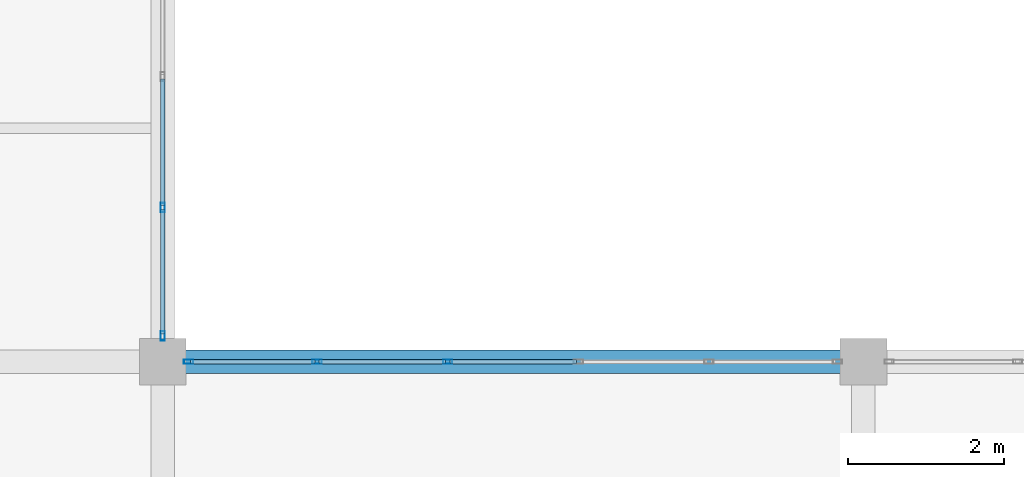
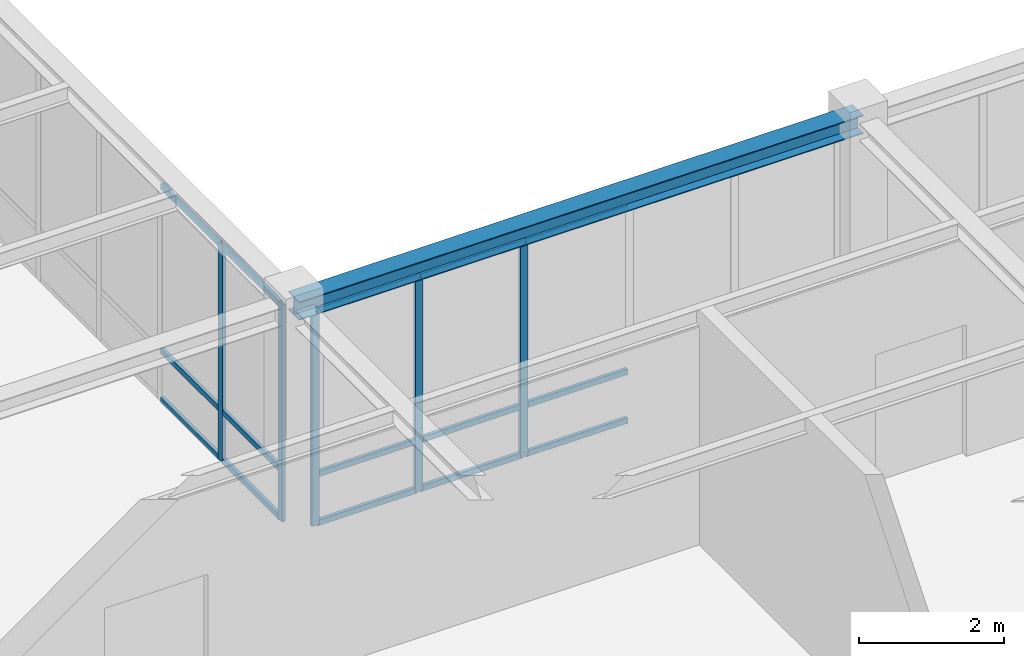
# One storey, part 45 of 130: 20 members, 1 beam, 2 elements without a shape of their own.
"""IFC4 building model written with IfcOpenShell, lengths in metres."""

from ifc_helpers import new_model, si_unit, direction, frame, origin, origin_2d, place, context, subcontext, project, spatial, hollow_rectangle, i_section, extrude, material, material_profile, profile_set, type_object, element, aggregate, save


model = new_model("IFC4")

# Units and contexts
model_context = context("Model", 3, precision=1e-05, world=origin(), true_north=direction((0.0, 1.0)))
body_context = subcontext(model_context, "Body", "Model", "MODEL_VIEW")
ifc_project = project(units=[si_unit("LENGTHUNIT", "METRE"), si_unit("AREAUNIT", "SQUARE_METRE"), si_unit("VOLUMEUNIT", "CUBIC_METRE"), si_unit("PLANEANGLEUNIT", "RADIAN"), si_unit("MASSUNIT", "GRAM", prefix="KILO")], contexts=[model_context])

# Site, building, storey
site_placement = place(None, origin())
site = spatial("IfcSite", under=ifc_project, at=site_placement, CompositionType="ELEMENT")
building_placement = place(site_placement, origin())
building = spatial("IfcBuilding", under=site, at=building_placement, Name="Lykobir Media Centre", CompositionType="ELEMENT")
storey_placement = place(building_placement, frame((0.0, 0.0, 19.199951171875)))
storey = spatial("IfcBuildingStorey", under=building, at=storey_placement, Name="L04", CompositionType="ELEMENT", Elevation=19.199951171875)

# Curtain wall, members
ifc_material_1 = material(Name="Anodized Aluminium AW-6060", Category="aluminium")
curtain_wall_type = type_object("IfcCurtainWallType", Name="CW-COURT-B", PredefinedType="NOTDEFINED", material=ifc_material_1)
curtain_wall_1_placement = place(storey_placement, origin())
curtain_wall_1 = element("IfcCurtainWall", 1, at=curtain_wall_1_placement, inside=storey, type_object=curtain_wall_type, Name="Curtain wall CW2-L04-0169", PredefinedType="NOTDEFINED")
ifc_material_profile_1 = material_profile(ifc_material_1, hollow_rectangle(XDim=0.054931640625, YDim=0.1201171875, WallThickness=0.003173828125, at=origin_2d()), Name="ALU MULLION 55x120")
ifc_profile_set_1 = profile_set([ifc_material_profile_1], Name="Anodized Aluminium AW-6060")
member_type_1 = type_object("IfcMemberType", Name="CWM-120", PredefinedType="MULLION", material=ifc_profile_set_1)
member_1_placement = place(storey_placement, frame((99.33251953125, 18.0, 0.0), z_axis=(0.0, 0.0, 1.0), x_axis=(0.0, 1.0, 0.0)))
member_1 = element("IfcMember", 2, at=member_1_placement, type_object=member_type_1, Name="CW2-L04-0169 mullion 1", PredefinedType="MULLION", context=body_context, shape_type="SweptSolid", body=[
    extrude(hollow_rectangle(XDim=0.054931640625, YDim=0.1201171875, WallThickness=0.003173828125, at=origin_2d()), origin(), (0.0, 0.0, 1.0), 3.635009765625),
])
member_2_placement = place(storey_placement, frame((100.98291015625, 18.0, 0.0), z_axis=(0.0, 0.0, 1.0), x_axis=(0.0, 1.0, 0.0)))
member_2 = element("IfcMember", 3, at=member_2_placement, type_object=member_type_1, Name="CW2-L04-0169 mullion 2", PredefinedType="MULLION", context=body_context, shape_type="SweptSolid", body=[
    extrude(hollow_rectangle(XDim=0.054931640625, YDim=0.1201171875, WallThickness=0.003173828125, at=origin_2d()), origin(), (0.0, 0.0, 1.0), 3.635009765625),
])
member_3_placement = place(storey_placement, frame((102.660888671875, 18.0, 0.0), z_axis=(0.0, 0.0, 1.0), x_axis=(0.0, 1.0, 0.0)))
member_3 = element("IfcMember", 4, at=member_3_placement, type_object=member_type_1, Name="CW2-L04-0169 mullion 3", PredefinedType="MULLION", context=body_context, shape_type="SweptSolid", body=[
    extrude(hollow_rectangle(XDim=0.054931640625, YDim=0.1201171875, WallThickness=0.003173828125, at=origin_2d()), origin(), (0.0, 0.0, 1.0), 3.635009765625),
])

curtain_wall_2_placement = place(storey_placement, origin())
curtain_wall_2 = element("IfcCurtainWall", 5, at=curtain_wall_2_placement, inside=storey, type_object=curtain_wall_type, Name="Curtain wall CW2-L04-0172", PredefinedType="NOTDEFINED")
member_4_placement = place(storey_placement, frame((99.0, 19.98291015625, 0.0), z_axis=(0.0, 0.0, 1.0), x_axis=(1.0, 0.0, 0.0)))
member_4 = element("IfcMember", 6, at=member_4_placement, type_object=member_type_1, Name="CW2-L04-0172 mullion 5", PredefinedType="MULLION", context=body_context, shape_type="SweptSolid", body=[
    extrude(hollow_rectangle(XDim=0.054931640625, YDim=0.1201171875, WallThickness=0.003173828125, at=origin_2d()), origin(), (0.0, 0.0, 1.0), 3.655029296875),
])
member_5_placement = place(storey_placement, frame((99.0, 18.33251953125, 0.0), z_axis=(0.0, 0.0, 1.0), x_axis=(1.0, 0.0, 0.0)))
member_5 = element("IfcMember", 7, at=member_5_placement, type_object=member_type_1, Name="CW2-L04-0172 mullion 6", PredefinedType="MULLION", context=body_context, shape_type="SweptSolid", body=[
    extrude(hollow_rectangle(XDim=0.054931640625, YDim=0.1201171875, WallThickness=0.003173828125, at=origin_2d()), origin(), (0.0, 0.0, 1.0), 3.655029296875),
])

# Member
ifc_material_profile_2 = material_profile(ifc_material_1, hollow_rectangle(XDim=0.054931640625, YDim=0.094970703125, WallThickness=0.0029296875, at=origin_2d()), Name="ALU TRANSOM 55x95")
ifc_profile_set_2 = profile_set([ifc_material_profile_2], Name="Anodized Aluminium AW-6060")
member_type_2 = type_object("IfcMemberType", Name="CWT-095", PredefinedType="USERDEFINED", material=ifc_profile_set_2)
member_6_placement = place(storey_placement, frame((99.360107421875, 18.0, 0.027587890625), z_axis=(1.0, 0.0, 0.0), x_axis=(0.0, 1.0, 0.0)))
member_6 = element("IfcMember", 8, at=member_6_placement, type_object=member_type_2, Name="CW2-L04-0169 transom 1.1", ObjectType="TRANSOM", PredefinedType="USERDEFINED", context=body_context, shape_type="SweptSolid", body=[
    extrude(hollow_rectangle(XDim=0.054931640625, YDim=0.094970703125, WallThickness=0.0029296875, at=origin_2d()), origin(), (0.0, 0.0, 1.0), 1.595458984375),
])

member_7_placement = place(storey_placement, frame((99.360107421875, 18.0, 0.85009765625), z_axis=(1.0, 0.0, 0.0), x_axis=(0.0, 1.0, 0.0)))
member_7 = element("IfcMember", 9, at=member_7_placement, type_object=member_type_2, Name="CW2-L04-0169 transom 1.2", ObjectType="TRANSOM", PredefinedType="USERDEFINED", context=body_context, shape_type="SweptSolid", body=[
    extrude(hollow_rectangle(XDim=0.054931640625, YDim=0.094970703125, WallThickness=0.0029296875, at=origin_2d()), origin(), (0.0, 0.0, 1.0), 1.595458984375),
])

member_8_placement = place(storey_placement, frame((99.360107421875, 18.0, 3.607666015625), z_axis=(1.0, 0.0, 0.0), x_axis=(0.0, 1.0, 0.0)))
member_8 = element("IfcMember", 10, at=member_8_placement, type_object=member_type_2, Name="CW2-L04-0169 transom 1.3", ObjectType="TRANSOM", PredefinedType="USERDEFINED", context=body_context, shape_type="SweptSolid", body=[
    extrude(hollow_rectangle(XDim=0.054931640625, YDim=0.094970703125, WallThickness=0.0029296875, at=origin_2d()), origin(), (0.0, 0.0, 1.0), 1.595458984375),
])

member_9_placement = place(storey_placement, frame((101.010498046875, 18.0, 0.027587890625), z_axis=(1.0, 0.0, 0.0), x_axis=(0.0, 1.0, 0.0)))
member_9 = element("IfcMember", 11, at=member_9_placement, type_object=member_type_2, Name="CW2-L04-0169 transom 2.1", ObjectType="TRANSOM", PredefinedType="USERDEFINED", context=body_context, shape_type="SweptSolid", body=[
    extrude(hollow_rectangle(XDim=0.054931640625, YDim=0.094970703125, WallThickness=0.0029296875, at=origin_2d()), origin(), (0.0, 0.0, 1.0), 1.623046875),
])

member_10_placement = place(storey_placement, frame((101.010498046875, 18.0, 0.85009765625), z_axis=(1.0, 0.0, 0.0), x_axis=(0.0, 1.0, 0.0)))
member_10 = element("IfcMember", 12, at=member_10_placement, type_object=member_type_2, Name="CW2-L04-0169 transom 2.2", ObjectType="TRANSOM", PredefinedType="USERDEFINED", context=body_context, shape_type="SweptSolid", body=[
    extrude(hollow_rectangle(XDim=0.054931640625, YDim=0.094970703125, WallThickness=0.0029296875, at=origin_2d()), origin(), (0.0, 0.0, 1.0), 1.623046875),
])

member_11_placement = place(storey_placement, frame((101.010498046875, 18.0, 3.607666015625), z_axis=(1.0, 0.0, 0.0), x_axis=(0.0, 1.0, 0.0)))
member_11 = element("IfcMember", 13, at=member_11_placement, type_object=member_type_2, Name="CW2-L04-0169 transom 2.3", ObjectType="TRANSOM", PredefinedType="USERDEFINED", context=body_context, shape_type="SweptSolid", body=[
    extrude(hollow_rectangle(XDim=0.054931640625, YDim=0.094970703125, WallThickness=0.0029296875, at=origin_2d()), origin(), (0.0, 0.0, 1.0), 1.623046875),
])

member_12_placement = place(storey_placement, frame((102.6884765625, 18.0, 0.027587890625), z_axis=(1.0, 0.0, 0.0), x_axis=(0.0, 1.0, 0.0)))
member_12 = element("IfcMember", 14, at=member_12_placement, type_object=member_type_2, Name="CW2-L04-0169 transom 3.1", ObjectType="TRANSOM", PredefinedType="USERDEFINED", context=body_context, shape_type="SweptSolid", body=[
    extrude(hollow_rectangle(XDim=0.054931640625, YDim=0.094970703125, WallThickness=0.0029296875, at=origin_2d()), origin(), (0.0, 0.0, 1.0), 1.623046875),
])

member_13_placement = place(storey_placement, frame((102.6884765625, 18.0, 0.85009765625), z_axis=(1.0, 0.0, 0.0), x_axis=(0.0, 1.0, 0.0)))
member_13 = element("IfcMember", 15, at=member_13_placement, type_object=member_type_2, Name="CW2-L04-0169 transom 3.2", ObjectType="TRANSOM", PredefinedType="USERDEFINED", context=body_context, shape_type="SweptSolid", body=[
    extrude(hollow_rectangle(XDim=0.054931640625, YDim=0.094970703125, WallThickness=0.0029296875, at=origin_2d()), origin(), (0.0, 0.0, 1.0), 1.623046875),
])

member_14_placement = place(storey_placement, frame((102.6884765625, 18.0, 3.607666015625), z_axis=(1.0, 0.0, 0.0), x_axis=(0.0, 1.0, 0.0)))
member_14 = element("IfcMember", 16, at=member_14_placement, type_object=member_type_2, Name="CW2-L04-0169 transom 3.3", ObjectType="TRANSOM", PredefinedType="USERDEFINED", context=body_context, shape_type="SweptSolid", body=[
    extrude(hollow_rectangle(XDim=0.054931640625, YDim=0.094970703125, WallThickness=0.0029296875, at=origin_2d()), origin(), (0.0, 0.0, 1.0), 1.623046875),
])

aggregate(curtain_wall_1, [member_1, member_2, member_3, member_6, member_7, member_8, member_9, member_10, member_11, member_12, member_13, member_14])

member_15_placement = place(storey_placement, frame((99.0, 21.633544921875, 0.027587890625), z_axis=(0.0, -1.0, 0.0), x_axis=(1.0, 0.0, 0.0)))
member_15 = element("IfcMember", 17, at=member_15_placement, type_object=member_type_2, Name="CW2-L04-0172 transom 4.1", ObjectType="TRANSOM", PredefinedType="USERDEFINED", context=body_context, shape_type="SweptSolid", body=[
    extrude(hollow_rectangle(XDim=0.054931640625, YDim=0.094970703125, WallThickness=0.0029296875, at=origin_2d()), origin(), (0.0, 0.0, 1.0), 1.623046875),
])

member_16_placement = place(storey_placement, frame((99.0, 21.633544921875, 0.85009765625), z_axis=(0.0, -1.0, 0.0), x_axis=(1.0, 0.0, 0.0)))
member_16 = element("IfcMember", 18, at=member_16_placement, type_object=member_type_2, Name="CW2-L04-0172 transom 4.2", ObjectType="TRANSOM", PredefinedType="USERDEFINED", context=body_context, shape_type="SweptSolid", body=[
    extrude(hollow_rectangle(XDim=0.054931640625, YDim=0.094970703125, WallThickness=0.0029296875, at=origin_2d()), origin(), (0.0, 0.0, 1.0), 1.623046875),
])

member_17_placement = place(storey_placement, frame((99.0, 21.633544921875, 3.62744140625), z_axis=(0.0, -1.0, 0.0), x_axis=(1.0, 0.0, 0.0)))
member_17 = element("IfcMember", 19, at=member_17_placement, type_object=member_type_2, Name="CW2-L04-0172 transom 4.3", ObjectType="TRANSOM", PredefinedType="USERDEFINED", context=body_context, shape_type="SweptSolid", body=[
    extrude(hollow_rectangle(XDim=0.054931640625, YDim=0.094970703125, WallThickness=0.0029296875, at=origin_2d()), origin(), (0.0, 0.0, 1.0), 1.623046875),
])

member_18_placement = place(storey_placement, frame((99.0, 19.95556640625, 0.027587890625), z_axis=(0.0, -1.0, 0.0), x_axis=(1.0, 0.0, 0.0)))
member_18 = element("IfcMember", 20, at=member_18_placement, type_object=member_type_2, Name="CW2-L04-0172 transom 5.1", ObjectType="TRANSOM", PredefinedType="USERDEFINED", context=body_context, shape_type="SweptSolid", body=[
    extrude(hollow_rectangle(XDim=0.054931640625, YDim=0.094970703125, WallThickness=0.0029296875, at=origin_2d()), origin(), (0.0, 0.0, 1.0), 1.595458984375),
])

member_19_placement = place(storey_placement, frame((99.0, 19.95556640625, 0.85009765625), z_axis=(0.0, -1.0, 0.0), x_axis=(1.0, 0.0, 0.0)))
member_19 = element("IfcMember", 21, at=member_19_placement, type_object=member_type_2, Name="CW2-L04-0172 transom 5.2", ObjectType="TRANSOM", PredefinedType="USERDEFINED", context=body_context, shape_type="SweptSolid", body=[
    extrude(hollow_rectangle(XDim=0.054931640625, YDim=0.094970703125, WallThickness=0.0029296875, at=origin_2d()), origin(), (0.0, 0.0, 1.0), 1.595458984375),
])

member_20_placement = place(storey_placement, frame((99.0, 19.95556640625, 3.62744140625), z_axis=(0.0, -1.0, 0.0), x_axis=(1.0, 0.0, 0.0)))
member_20 = element("IfcMember", 22, at=member_20_placement, type_object=member_type_2, Name="CW2-L04-0172 transom 5.3", ObjectType="TRANSOM", PredefinedType="USERDEFINED", context=body_context, shape_type="SweptSolid", body=[
    extrude(hollow_rectangle(XDim=0.054931640625, YDim=0.094970703125, WallThickness=0.0029296875, at=origin_2d()), origin(), (0.0, 0.0, 1.0), 1.595458984375),
])

aggregate(curtain_wall_2, [member_4, member_5, member_15, member_16, member_17, member_18, member_19, member_20])

# Beam
ifc_material_2 = material(Name="Steel S355", Category="steel")
ifc_material_profile_3 = material_profile(ifc_material_2, i_section(OverallWidth=0.300048828125, OverallDepth=0.31005859375, WebThickness=0.009033203125, FlangeThickness=0.015380859375, at=origin_2d()), Name="HEA 320")
ifc_profile_set_3 = profile_set([ifc_material_profile_3], Name="Steel S355")
beam_type = type_object("IfcBeamType", Name="SP-HEA320", PredefinedType="SPANDREL", material=ifc_profile_set_3)
beam_placement = place(storey_placement, frame((99.0, 18.0, 3.804931640625), z_axis=(1.0, 0.0, 0.0), x_axis=(0.0, 1.0, 0.0)))
element("IfcBeam", 23, at=beam_placement, inside=storey, type_object=beam_type, Name="Beam BM-L04-0990-0180-1080-0180-2300", PredefinedType="SPANDREL", context=body_context, shape_type="SweptSolid", body=[
    extrude(i_section(OverallWidth=0.300048828125, OverallDepth=0.31005859375, WebThickness=0.009033203125, FlangeThickness=0.015380859375, at=origin_2d()), origin(), (0.0, 0.0, 1.0), 9.0),
])

save(model, "model.ifc")
